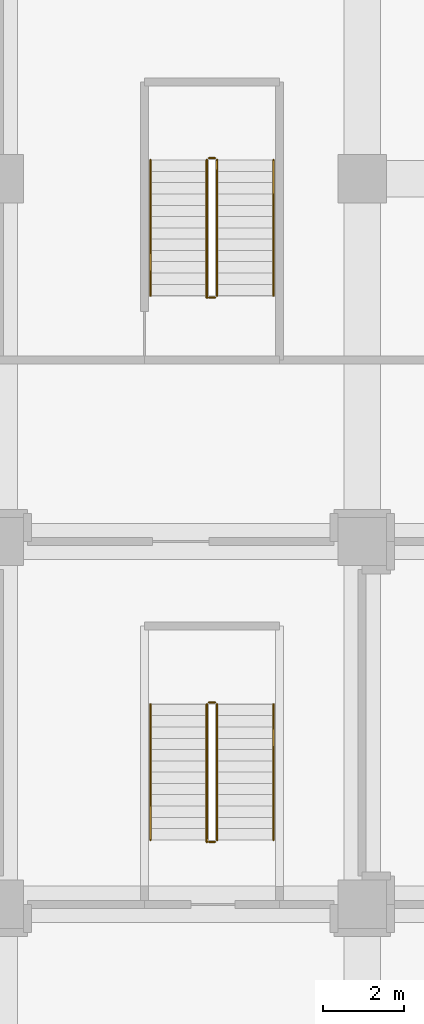
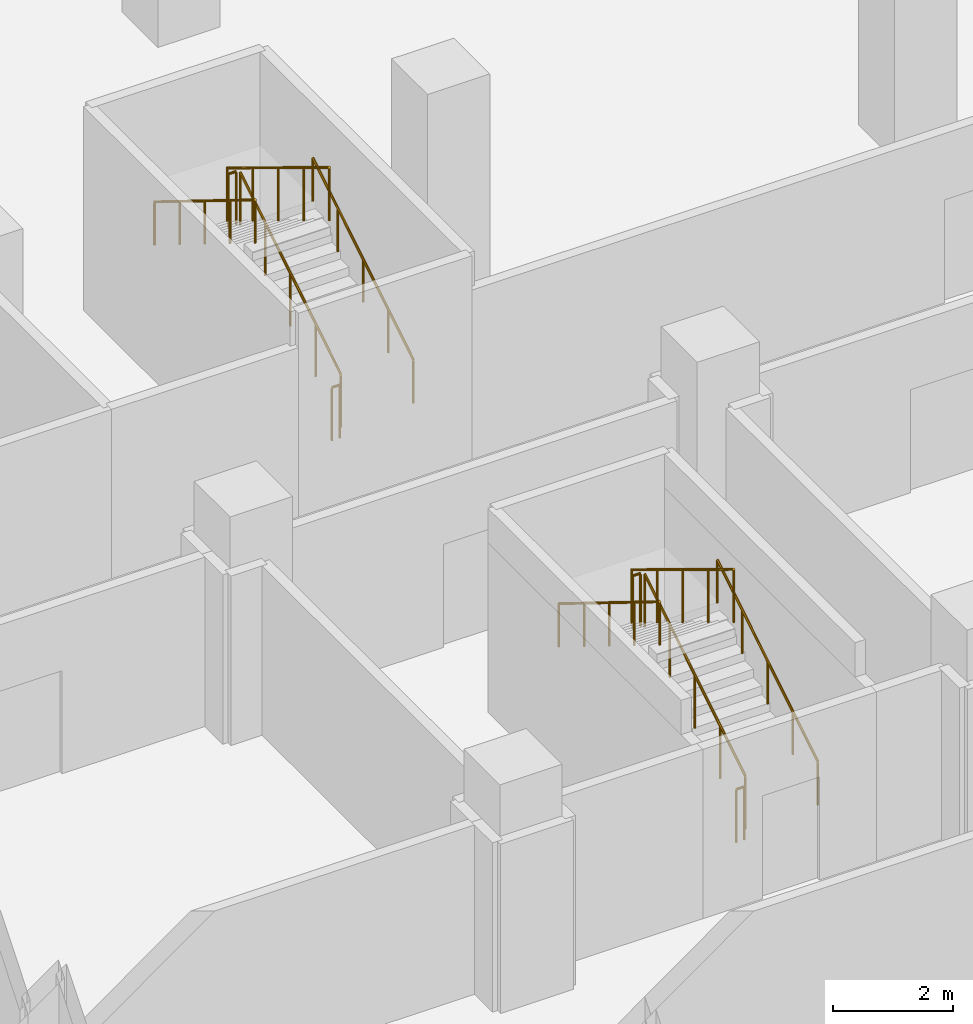
# One storey, part 41 of 43: 12 railings.
"""IFC4 building model written with IfcOpenShell, lengths in metres."""

import ifcopenshell
import ifcopenshell.guid

model = None  # the IFC model being written
_history = None  # IfcOwnerHistory: only IFC2X3 demands one
_inside = {}  # id of a spatial element -> (the spatial element, [elements in it])
_under = {}  # id of a project, library or spatial element -> (it, [spatial elements below it])
_declared = {}  # id of a project -> (the project, [libraries it declares])
_typed = {}  # id of a type object -> (the type object, [elements of that type])
_made_of = {}  # id of a material, layer set ... -> (it, [elements and type objects made of it])


def new_model(schema):
    """Start an empty IFC model of exactly this schema.

    Asked for "IFC4X3", IfcOpenShell would pick the latest addendum, in which some entities
    have other attributes; the version numbers below select the first issue.
    IFC2X3 requires an IfcOwnerHistory on every rooted entity: one is made here for all.
    """
    global model, _history
    if schema == "IFC4X3":
        model = ifcopenshell.file(schema_version=(4, 3, 0, 0))
    else:
        model = ifcopenshell.file(schema=schema)
    _inside.clear()
    _under.clear()
    _declared.clear()
    _typed.clear()
    _made_of.clear()
    _history = None
    if model.schema == "IFC2X3":
        org = make("IfcOrganization", Name="unknown")
        user = make(
            "IfcPersonAndOrganization",
            ThePerson=make("IfcPerson", FamilyName="unknown"),
            TheOrganization=org,
        )
        app = make(
            "IfcApplication",
            ApplicationDeveloper=org,
            Version="unknown",
            ApplicationFullName="unknown",
            ApplicationIdentifier="unknown",
        )
        _history = make(
            "IfcOwnerHistory",
            OwningUser=user,
            OwningApplication=app,
            ChangeAction="ADDED",
            CreationDate=0,
        )
    return model


def make(cls, **values):
    """One entity of the class cls with the attributes given. An attribute that is None is left unset."""
    return model.create_entity(
        cls, **{name: value for name, value in values.items() if value is not None}
    )


def rooted(cls, **values):
    """An entity with a GlobalId (a new one), such as an element, a storey or a relation."""
    return make(cls, GlobalId=ifcopenshell.guid.new(), OwnerHistory=_history, **values)


def si_unit(unit_type, name, prefix=None):
    """IfcSIUnit, for example si_unit("LENGTHUNIT", "METRE", prefix="MILLI")."""
    return make("IfcSIUnit", UnitType=unit_type, Prefix=prefix, Name=name)


def assignment(units):
    """IfcUnitAssignment: the units of a project."""
    return None if units is None else make("IfcUnitAssignment", Units=units)


def point(xyz):
    """IfcCartesianPoint."""
    return None if xyz is None else make("IfcCartesianPoint", Coordinates=xyz)


def direction(xyz):
    """IfcDirection."""
    return None if xyz is None else make("IfcDirection", DirectionRatios=xyz)


def frame(location, z_axis=None, x_axis=None):
    """IfcAxis2Placement3D, a coordinate frame: its origin and axes. An axis left out is left unset."""
    return make(
        "IfcAxis2Placement3D",
        Location=point(location),
        Axis=direction(z_axis),
        RefDirection=direction(x_axis),
    )


def frame_2d(location, x_axis=None):
    """IfcAxis2Placement2D, a coordinate frame in the plane: its origin and x axis."""
    return make(
        "IfcAxis2Placement2D", Location=point(location), RefDirection=direction(x_axis)
    )


def origin():
    """The frame at (0, 0, 0) with its axes left unset."""
    return frame((0.0, 0.0, 0.0))


def origin_2d():
    """The frame at (0, 0) in the plane with its x axis left unset."""
    return frame_2d((0.0, 0.0))


def place(relative_to, where):
    """IfcLocalPlacement: puts the frame where relative to a parent placement (None: the world)."""
    return make(
        "IfcLocalPlacement", PlacementRelTo=relative_to, RelativePlacement=where
    )


def context(
    kind, dimensions, precision=None, world=None, true_north=None, identifier=None
):
    """IfcGeometricRepresentationContext, for example the 3D "Model" context."""
    return make(
        "IfcGeometricRepresentationContext",
        ContextIdentifier=identifier,
        ContextType=kind,
        CoordinateSpaceDimension=dimensions,
        Precision=precision,
        WorldCoordinateSystem=world,
        TrueNorth=true_north,
    )


def subcontext(parent, identifier, kind, view, scale=None):
    """IfcGeometricRepresentationSubContext, for example "Body" below "Model"."""
    return make(
        "IfcGeometricRepresentationSubContext",
        ContextIdentifier=identifier,
        ContextType=kind,
        ParentContext=parent,
        TargetScale=scale,
        TargetView=view,
    )


def project(units=None, contexts=None):
    """IfcProject with its units and contexts."""
    return rooted(
        "IfcProject",
        Name="project",
        RepresentationContexts=contexts,
        UnitsInContext=assignment(units),
    )


def spatial(cls, under=None, at=None, **own):
    """A site, building, storey or space (cls), placed at a placement, below another one or the project."""
    s = rooted(cls, ObjectPlacement=at, **own)
    if under is not None:
        _under.setdefault(under.id(), (under, []))[1].append(s)
    return s


def profile(cls, at=None, kind="AREA", **sizes):
    """A parametric profile (cls). Its sizes go by their IFC names, for example OverallWidth=200.0."""
    return make(cls, ProfileType=kind, Position=at, **sizes)


def circle(**sizes):
    """IfcCircleProfileDef."""
    return profile("IfcCircleProfileDef", **sizes)


def extrude(swept, where, along, depth):
    """IfcExtrudedAreaSolid: the profile swept, set in the frame where, extruded along a direction by depth."""
    return make(
        "IfcExtrudedAreaSolid",
        SweptArea=swept,
        Position=where,
        ExtrudedDirection=direction(along),
        Depth=depth,
    )


def shape(context_of_items, identifier, shape_type, items):
    """IfcShapeRepresentation: the items that make up one representation, for example the "Body"."""
    return make(
        "IfcShapeRepresentation",
        ContextOfItems=context_of_items,
        RepresentationIdentifier=identifier,
        RepresentationType=shape_type,
        Items=items,
    )


def material(Name=None, Category=None):
    """IfcMaterial."""
    return make("IfcMaterial", Name=Name, Category=Category)


def made_of(thing, what):
    """Note that an element or type object is made of a material, layer set ...; save() writes the relation."""
    if what is not None:
        _made_of.setdefault(what.id(), (what, []))[1].append(thing)
    return thing


def type_object(cls, material=None, **own):
    """A type object (cls), such as IfcWallType, which elements share."""
    return made_of(rooted(cls, **own), material)


def element(
    cls,
    number,
    at=None,
    inside=None,
    cuts=None,
    type_object=None,
    material=None,
    context=None,
    identifier="Body",
    shape_type=None,
    held_by="IfcProductDefinitionShape",
    body=None,
    shapes=None,
    **own,
):
    """One element of the class cls, such as IfcWall. Its Tag is "e" and its number.

    at: its placement. inside: the storey or other place that contains it. cuts: it is an
    opening in that element (IfcRelVoidsElement). A single representation is given by context,
    identifier, shape_type and body (its items); several are given by shapes. held_by: the class
    of the entity that holds the representations. save() writes the other relations.
    """
    e = rooted(cls, Tag="e%d" % number, ObjectPlacement=at, **own)
    if body is not None:
        shapes = [shape(context, identifier, shape_type, body)]
    if shapes is not None:
        e.Representation = make(held_by, Representations=shapes)
    if inside is not None:
        _inside.setdefault(inside.id(), (inside, []))[1].append(e)
    if cuts is not None:
        rooted(
            "IfcRelVoidsElement", RelatingBuildingElement=cuts, RelatedOpeningElement=e
        )
    if type_object is not None:
        _typed.setdefault(type_object.id(), (type_object, []))[1].append(e)
    return made_of(e, material)


def aggregate(whole, parts):
    """IfcRelAggregates: a whole, such as a stair, and the parts it consists of."""
    return rooted("IfcRelAggregates", RelatingObject=whole, RelatedObjects=parts)


def save(model, path):
    """Write the relations noted so far, then the file.

    IfcRelAggregates (storeys below a building ...), IfcRelContainedInSpatialStructure (elements
    in a storey), IfcRelDefinesByType, IfcRelAssociatesMaterial and IfcRelDeclares: one each for
    every whole, place, type object, material and project.
    """
    for whole, parts in _under.values():
        aggregate(whole, parts)
    for where, things in _inside.values():
        rooted(
            "IfcRelContainedInSpatialStructure",
            RelatedElements=things,
            RelatingStructure=where,
        )
    for kind, things in _typed.values():
        rooted("IfcRelDefinesByType", RelatedObjects=things, RelatingType=kind)
    for what, things in _made_of.values():
        rooted("IfcRelAssociatesMaterial", RelatedObjects=things, RelatingMaterial=what)
    for by, libraries in _declared.values():
        rooted("IfcRelDeclares", RelatingContext=by, RelatedDefinitions=libraries)
    model.write(path)


model = new_model("IFC4")

# Units and contexts
model_context = context("Model", 3, precision=1e-05, world=origin(), true_north=direction((0.0, 1.0)))
body_context = subcontext(model_context, "Body", "Model", "MODEL_VIEW")
ifc_project = project(units=[si_unit("LENGTHUNIT", "METRE"), si_unit("AREAUNIT", "SQUARE_METRE"), si_unit("VOLUMEUNIT", "CUBIC_METRE"), si_unit("PLANEANGLEUNIT", "RADIAN"), si_unit("MASSUNIT", "GRAM", prefix="KILO")], contexts=[model_context])

# Site, building, storey
site_placement = place(None, origin())
site = spatial("IfcSite", under=ifc_project, at=site_placement, CompositionType="ELEMENT")
building_placement = place(site_placement, origin())
building = spatial("IfcBuilding", under=site, at=building_placement, Name="Plateau Cross Towers", CompositionType="ELEMENT")
storey_placement = place(building_placement, frame((0.0, 0.0, 12.800048828125)))
storey = spatial("IfcBuildingStorey", under=building, at=storey_placement, Name="L02", CompositionType="ELEMENT", Elevation=12.800048828125)

# Railings
ifc_material_1 = material(Name="Stainless steel and toughened glass", Category="steel")
railing_type_1 = type_object("IfcRailingType", Name="RL-GUARD-1100", PredefinedType="GUARDRAIL", material=ifc_material_1)
railing_1_placement = place(storey_placement, frame((32.39990234375, 28.60009765625, 0.173095703125)))
element("IfcRailing", 1, at=railing_1_placement, inside=storey, type_object=railing_type_1, Name="L02 PS1 stair guard 1", PredefinedType="GUARDRAIL", context=body_context, shape_type="SweptSolid", body=[
    extrude(circle(Radius=0.02392578125, at=origin_2d()), frame((0.0, 0.0, 1.076171875), z_axis=(0.0, 0.850606129759, 0.525803396734), x_axis=(-1.0, 0.0, 0.0)), (0.0, 0.0, 1.0), 3.949951171875),
    extrude(circle(Radius=0.02099609375, at=origin_2d()), origin(), (0.0, 0.0, 1.0), 1.052001953125),
    extrude(circle(Radius=0.02099609375, at=origin_2d()), frame((0.0, 0.83984375, 0.519287109375)), (0.0, 0.0, 1.0), 1.052001953125),
    extrude(circle(Radius=0.02099609375, at=origin_2d()), frame((0.0, 1.679931640625, 1.03857421875)), (0.0, 0.0, 1.0), 1.052001953125),
    extrude(circle(Radius=0.02099609375, at=origin_2d()), frame((0.0, 2.52001953125, 1.5576171875)), (0.0, 0.0, 1.0), 1.052001953125),
    extrude(circle(Radius=0.02099609375, at=origin_2d()), frame((0.0, 3.35986328125, 2.076904296875)), (0.0, 0.0, 1.0), 1.052001953125),
])
railing_2_placement = place(storey_placement, frame((32.35009765625, 32.010009765625, 2.25)))
element("IfcRailing", 2, at=railing_2_placement, inside=storey, type_object=railing_type_1, Name="L02 PS1 stair guard 2", PredefinedType="GUARDRAIL", context=body_context, shape_type="SweptSolid", body=[
    extrude(circle(Radius=0.02392578125, at=origin_2d()), frame((0.0, 0.0, 1.076171875), z_axis=(-1.0, 0.0, 0.0), x_axis=(0.0, -1.0, 0.0)), (0.0, 0.0, 1.0), 0.150146484375),
    extrude(circle(Radius=0.02099609375, at=origin_2d()), origin(), (0.0, 0.0, 1.0), 1.052001953125),
    extrude(circle(Radius=0.02099609375, at=origin_2d()), frame((-0.150146484375, 0.0, 0.0)), (0.0, 0.0, 1.0), 1.052001953125),
])
railing_3_placement = place(storey_placement, frame((32.14990234375, 31.9599609375, 2.423095703125)))
element("IfcRailing", 3, at=railing_3_placement, inside=storey, type_object=railing_type_1, Name="L02 PS1 stair guard 3", PredefinedType="GUARDRAIL", context=body_context, shape_type="SweptSolid", body=[
    extrude(circle(Radius=0.02392578125, at=origin_2d()), frame((0.0, 0.0, 1.076171875), z_axis=(0.0, -0.854053285388, 0.520185530092), x_axis=(1.0, 0.0, 0.0)), (0.0, 0.0, 1.0), 3.99267578125),
    extrude(circle(Radius=0.02099609375, at=origin_2d()), origin(), (0.0, 0.0, 1.0), 1.052001953125),
    extrude(circle(Radius=0.02099609375, at=origin_2d()), frame((0.0, -0.8525390625, 0.519287109375)), (0.0, 0.0, 1.0), 1.052001953125),
    extrude(circle(Radius=0.02099609375, at=origin_2d()), frame((0.0, -1.705078125, 1.03857421875)), (0.0, 0.0, 1.0), 1.052001953125),
    extrude(circle(Radius=0.02099609375, at=origin_2d()), frame((0.0, -2.557373046875, 1.5576171875)), (0.0, 0.0, 1.0), 1.052001953125),
    extrude(circle(Radius=0.02099609375, at=origin_2d()), frame((0.0, -3.409912109375, 2.076904296875)), (0.0, 0.0, 1.0), 1.052001953125),
])
railing_4_placement = place(storey_placement, frame((32.35009765625, 28.550048828125, 0.0)))
element("IfcRailing", 4, at=railing_4_placement, inside=storey, type_object=railing_type_1, Name="L02 PS1 stair guard 4", PredefinedType="GUARDRAIL", context=body_context, shape_type="SweptSolid", body=[
    extrude(circle(Radius=0.02392578125, at=origin_2d()), frame((0.0, 0.0, 1.076171875), z_axis=(-1.0, 0.0, 0.0), x_axis=(0.0, -1.0, 0.0)), (0.0, 0.0, 1.0), 0.150146484375),
    extrude(circle(Radius=0.02099609375, at=origin_2d()), origin(), (0.0, 0.0, 1.0), 1.052001953125),
    extrude(circle(Radius=0.02099609375, at=origin_2d()), frame((-0.150146484375, 0.0, 0.0)), (0.0, 0.0, 1.0), 1.052001953125),
])
railing_5_placement = place(storey_placement, frame((32.39990234375, 42.10009765625, 0.173095703125)))
element("IfcRailing", 5, at=railing_5_placement, inside=storey, type_object=railing_type_1, Name="L02 PS2 stair guard 1", PredefinedType="GUARDRAIL", context=body_context, shape_type="SweptSolid", body=[
    extrude(circle(Radius=0.02392578125, at=origin_2d()), frame((0.0, 0.0, 1.076171875), z_axis=(0.0, 0.850606129759, 0.525803396734), x_axis=(-1.0, 0.0, 0.0)), (0.0, 0.0, 1.0), 3.949951171875),
    extrude(circle(Radius=0.02099609375, at=origin_2d()), origin(), (0.0, 0.0, 1.0), 1.052001953125),
    extrude(circle(Radius=0.02099609375, at=origin_2d()), frame((0.0, 0.83984375, 0.519287109375)), (0.0, 0.0, 1.0), 1.052001953125),
    extrude(circle(Radius=0.02099609375, at=origin_2d()), frame((0.0, 1.679931640625, 1.03857421875)), (0.0, 0.0, 1.0), 1.052001953125),
    extrude(circle(Radius=0.02099609375, at=origin_2d()), frame((0.0, 2.52001953125, 1.5576171875)), (0.0, 0.0, 1.0), 1.052001953125),
    extrude(circle(Radius=0.02099609375, at=origin_2d()), frame((0.0, 3.35986328125, 2.076904296875)), (0.0, 0.0, 1.0), 1.052001953125),
])
railing_6_placement = place(storey_placement, frame((32.35009765625, 45.510009765625, 2.25)))
element("IfcRailing", 6, at=railing_6_placement, inside=storey, type_object=railing_type_1, Name="L02 PS2 stair guard 2", PredefinedType="GUARDRAIL", context=body_context, shape_type="SweptSolid", body=[
    extrude(circle(Radius=0.02392578125, at=origin_2d()), frame((0.0, 0.0, 1.076171875), z_axis=(-1.0, 0.0, 0.0), x_axis=(0.0, -1.0, 0.0)), (0.0, 0.0, 1.0), 0.150146484375),
    extrude(circle(Radius=0.02099609375, at=origin_2d()), origin(), (0.0, 0.0, 1.0), 1.052001953125),
    extrude(circle(Radius=0.02099609375, at=origin_2d()), frame((-0.150146484375, 0.0, 0.0)), (0.0, 0.0, 1.0), 1.052001953125),
])
railing_7_placement = place(storey_placement, frame((32.14990234375, 45.4599609375, 2.423095703125)))
element("IfcRailing", 7, at=railing_7_placement, inside=storey, type_object=railing_type_1, Name="L02 PS2 stair guard 3", PredefinedType="GUARDRAIL", context=body_context, shape_type="SweptSolid", body=[
    extrude(circle(Radius=0.02392578125, at=origin_2d()), frame((0.0, 0.0, 1.076171875), z_axis=(0.0, -0.854053285388, 0.520185530092), x_axis=(1.0, 0.0, 0.0)), (0.0, 0.0, 1.0), 3.99267578125),
    extrude(circle(Radius=0.02099609375, at=origin_2d()), origin(), (0.0, 0.0, 1.0), 1.052001953125),
    extrude(circle(Radius=0.02099609375, at=origin_2d()), frame((0.0, -0.8525390625, 0.519287109375)), (0.0, 0.0, 1.0), 1.052001953125),
    extrude(circle(Radius=0.02099609375, at=origin_2d()), frame((0.0, -1.705078125, 1.03857421875)), (0.0, 0.0, 1.0), 1.052001953125),
    extrude(circle(Radius=0.02099609375, at=origin_2d()), frame((0.0, -2.557373046875, 1.5576171875)), (0.0, 0.0, 1.0), 1.052001953125),
    extrude(circle(Radius=0.02099609375, at=origin_2d()), frame((0.0, -3.409912109375, 2.076904296875)), (0.0, 0.0, 1.0), 1.052001953125),
])
railing_8_placement = place(storey_placement, frame((32.35009765625, 42.050048828125, 0.0)))
element("IfcRailing", 8, at=railing_8_placement, inside=storey, type_object=railing_type_1, Name="L02 PS2 stair guard 4", PredefinedType="GUARDRAIL", context=body_context, shape_type="SweptSolid", body=[
    extrude(circle(Radius=0.02392578125, at=origin_2d()), frame((0.0, 0.0, 1.076171875), z_axis=(-1.0, 0.0, 0.0), x_axis=(0.0, -1.0, 0.0)), (0.0, 0.0, 1.0), 0.150146484375),
    extrude(circle(Radius=0.02099609375, at=origin_2d()), origin(), (0.0, 0.0, 1.0), 1.052001953125),
    extrude(circle(Radius=0.02099609375, at=origin_2d()), frame((-0.150146484375, 0.0, 0.0)), (0.0, 0.0, 1.0), 1.052001953125),
])
ifc_material_2 = material(Name="Black anodised aluminium", Category="aluminium")
railing_type_2 = type_object("IfcRailingType", Name="RL-HANDRAIL-900", PredefinedType="HANDRAIL", material=ifc_material_2)
railing_9_placement = place(storey_placement, frame((33.800048828125, 28.60009765625, 0.173095703125)))
element("IfcRailing", 9, at=railing_9_placement, inside=storey, type_object=railing_type_2, Name="L02 PS1 stair handrail 1", PredefinedType="HANDRAIL", context=body_context, shape_type="SweptSolid", body=[
    extrude(circle(Radius=0.02392578125, at=origin_2d()), frame((0.0, 0.0, 0.8759765625), z_axis=(0.0, 0.850606129759, 0.525803396734), x_axis=(-1.0, 0.0, 0.0)), (0.0, 0.0, 1.0), 3.949951171875),
    extrude(circle(Radius=0.02099609375, at=origin_2d()), origin(), (0.0, 0.0, 1.0), 0.851806640625),
    extrude(circle(Radius=0.02099609375, at=origin_2d()), frame((0.0, 0.83984375, 0.519287109375)), (0.0, 0.0, 1.0), 0.851806640625),
    extrude(circle(Radius=0.02099609375, at=origin_2d()), frame((0.0, 1.679931640625, 1.03857421875)), (0.0, 0.0, 1.0), 0.851806640625),
    extrude(circle(Radius=0.02099609375, at=origin_2d()), frame((0.0, 2.52001953125, 1.5576171875)), (0.0, 0.0, 1.0), 0.851806640625),
    extrude(circle(Radius=0.02099609375, at=origin_2d()), frame((0.0, 3.35986328125, 2.076904296875)), (0.0, 0.0, 1.0), 0.851806640625),
])
railing_10_placement = place(storey_placement, frame((30.75, 31.9599609375, 2.423095703125)))
element("IfcRailing", 10, at=railing_10_placement, inside=storey, type_object=railing_type_2, Name="L02 PS1 stair handrail 2", PredefinedType="HANDRAIL", context=body_context, shape_type="SweptSolid", body=[
    extrude(circle(Radius=0.02392578125, at=origin_2d()), frame((0.0, 0.0, 0.8759765625), z_axis=(0.0, -0.850606129759, 0.525803396734), x_axis=(1.0, 0.0, 0.0)), (0.0, 0.0, 1.0), 3.949951171875),
    extrude(circle(Radius=0.02099609375, at=origin_2d()), origin(), (0.0, 0.0, 1.0), 0.851806640625),
    extrude(circle(Radius=0.02099609375, at=origin_2d()), frame((0.0, -0.83984375, 0.519287109375)), (0.0, 0.0, 1.0), 0.851806640625),
    extrude(circle(Radius=0.02099609375, at=origin_2d()), frame((0.0, -1.679931640625, 1.03857421875)), (0.0, 0.0, 1.0), 0.851806640625),
    extrude(circle(Radius=0.02099609375, at=origin_2d()), frame((0.0, -2.52001953125, 1.5576171875)), (0.0, 0.0, 1.0), 0.851806640625),
    extrude(circle(Radius=0.02099609375, at=origin_2d()), frame((0.0, -3.35986328125, 2.076904296875)), (0.0, 0.0, 1.0), 0.851806640625),
])
railing_11_placement = place(storey_placement, frame((33.800048828125, 42.10009765625, 0.173095703125)))
element("IfcRailing", 11, at=railing_11_placement, inside=storey, type_object=railing_type_2, Name="L02 PS2 stair handrail 1", PredefinedType="HANDRAIL", context=body_context, shape_type="SweptSolid", body=[
    extrude(circle(Radius=0.02392578125, at=origin_2d()), frame((0.0, 0.0, 0.8759765625), z_axis=(0.0, 0.850606129759, 0.525803396734), x_axis=(-1.0, 0.0, 0.0)), (0.0, 0.0, 1.0), 3.949951171875),
    extrude(circle(Radius=0.02099609375, at=origin_2d()), origin(), (0.0, 0.0, 1.0), 0.851806640625),
    extrude(circle(Radius=0.02099609375, at=origin_2d()), frame((0.0, 0.83984375, 0.519287109375)), (0.0, 0.0, 1.0), 0.851806640625),
    extrude(circle(Radius=0.02099609375, at=origin_2d()), frame((0.0, 1.679931640625, 1.03857421875)), (0.0, 0.0, 1.0), 0.851806640625),
    extrude(circle(Radius=0.02099609375, at=origin_2d()), frame((0.0, 2.52001953125, 1.5576171875)), (0.0, 0.0, 1.0), 0.851806640625),
    extrude(circle(Radius=0.02099609375, at=origin_2d()), frame((0.0, 3.35986328125, 2.076904296875)), (0.0, 0.0, 1.0), 0.851806640625),
])
railing_12_placement = place(storey_placement, frame((30.75, 45.4599609375, 2.423095703125)))
element("IfcRailing", 12, at=railing_12_placement, inside=storey, type_object=railing_type_2, Name="L02 PS2 stair handrail 2", PredefinedType="HANDRAIL", context=body_context, shape_type="SweptSolid", body=[
    extrude(circle(Radius=0.02392578125, at=origin_2d()), frame((0.0, 0.0, 0.8759765625), z_axis=(0.0, -0.850606129759, 0.525803396734), x_axis=(1.0, 0.0, 0.0)), (0.0, 0.0, 1.0), 3.949951171875),
    extrude(circle(Radius=0.02099609375, at=origin_2d()), origin(), (0.0, 0.0, 1.0), 0.851806640625),
    extrude(circle(Radius=0.02099609375, at=origin_2d()), frame((0.0, -0.83984375, 0.519287109375)), (0.0, 0.0, 1.0), 0.851806640625),
    extrude(circle(Radius=0.02099609375, at=origin_2d()), frame((0.0, -1.679931640625, 1.03857421875)), (0.0, 0.0, 1.0), 0.851806640625),
    extrude(circle(Radius=0.02099609375, at=origin_2d()), frame((0.0, -2.52001953125, 1.5576171875)), (0.0, 0.0, 1.0), 0.851806640625),
    extrude(circle(Radius=0.02099609375, at=origin_2d()), frame((0.0, -3.35986328125, 2.076904296875)), (0.0, 0.0, 1.0), 0.851806640625),
])

save(model, "model.ifc")
